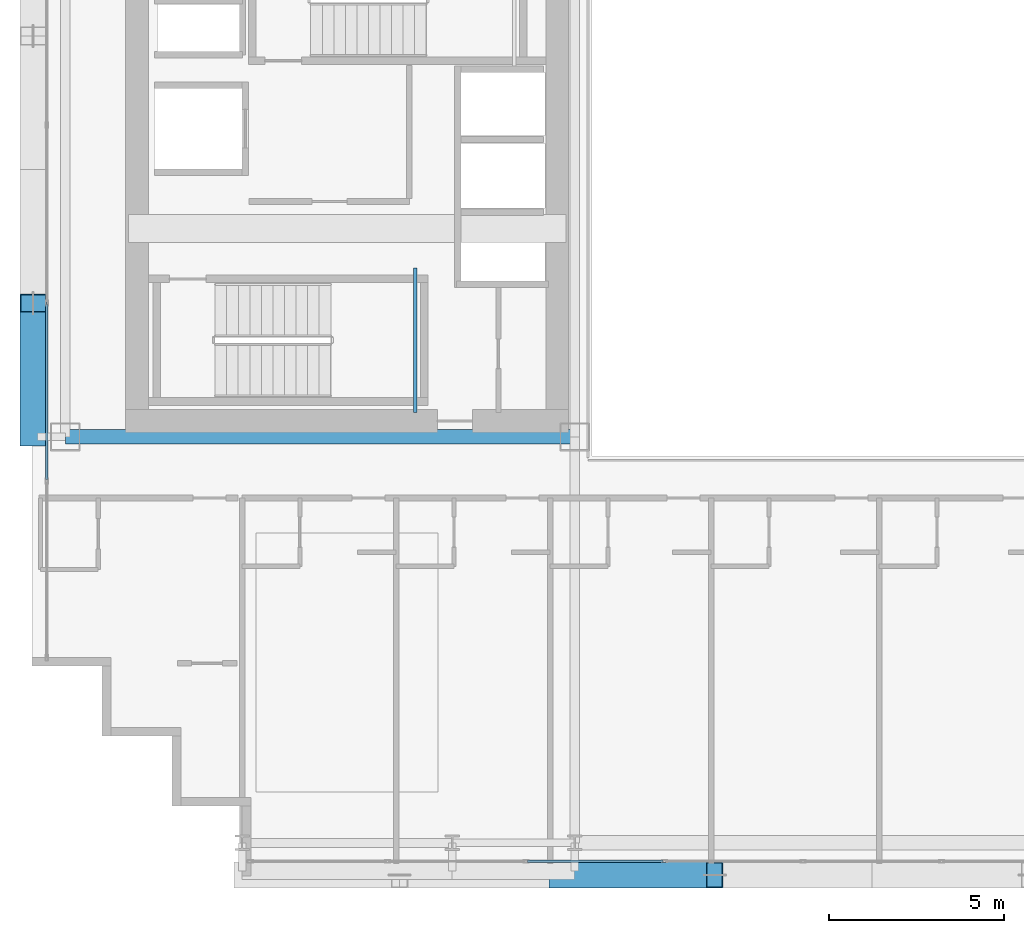
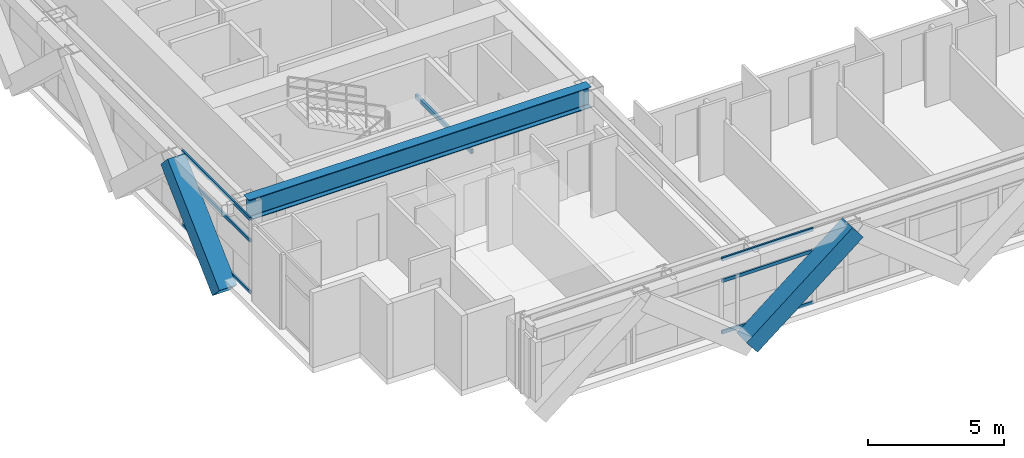
# One storey, part 4 of 36: 8 members, 2 beams, 2 elements without a shape of their own.
"""IFC4 building model written with IfcOpenShell, lengths in metres."""

from ifc_helpers import new_model, si_unit, direction, frame, origin, origin_2d, place, context, subcontext, project, spatial, hollow_rectangle, i_section, extrude, source, transform, mapped, material, layer, layer_set, material_profile, profile_set, type_object, element, aggregate, save


model = new_model("IFC4")

# Units and contexts
model_context = context("Model", 3, precision=1e-05, world=origin(), true_north=direction((0.0, 1.0)))
body_context = subcontext(model_context, "Body", "Model", "MODEL_VIEW")
ifc_project = project(units=[si_unit("LENGTHUNIT", "METRE"), si_unit("AREAUNIT", "SQUARE_METRE"), si_unit("VOLUMEUNIT", "CUBIC_METRE"), si_unit("PLANEANGLEUNIT", "RADIAN"), si_unit("MASSUNIT", "GRAM", prefix="KILO")], contexts=[model_context])

# Site, building, storey
site_placement = place(None, origin())
site = spatial("IfcSite", under=ifc_project, at=site_placement, CompositionType="ELEMENT")
building_placement = place(site_placement, origin())
building = spatial("IfcBuilding", under=site, at=building_placement, Name="Ocotamira Hotel", CompositionType="ELEMENT")
storey_placement = place(building_placement, frame((0.0, 0.0, 97.199951171875)))
storey = spatial("IfcBuildingStorey", under=building, at=storey_placement, Name="L23", CompositionType="ELEMENT", Elevation=97.199951171875)

# Beams
ifc_material_1 = material(Name="Steel ASTM A500 Grade C", Category="steel")
ifc_material_profile_1 = material_profile(ifc_material_1, hollow_rectangle(XDim=0.10009765625, YDim=0.199951171875, WallThickness=0.008056640625, at=origin_2d()), Name="HSS200X100X8")
ifc_profile_set_1 = profile_set([ifc_material_profile_1], Name="Steel ASTM A500 Grade C")
beam_type_1 = type_object("IfcBeamType", Name="BM-STLDG-HSS200", PredefinedType="BEAM", material=ifc_profile_set_1)
shared_shape_1 = source(origin(), body_context, "Body", "SweptSolid", [
    extrude(hollow_rectangle(XDim=0.10009765625, YDim=0.199951171875, WallThickness=0.008056640625, at=origin_2d()), origin(), (0.0, 0.0, 1.0), 4.1201171875),
])
beam_1_placement = place(storey_placement, frame((18.949951171875, 15.25, 1.5), z_axis=(0.0, 1.0, 0.0), x_axis=(-1.0, 0.0, 0.0)))
element("IfcBeam", 1, at=beam_1_placement, inside=storey, type_object=beam_type_1, Name="L23 Stair ST-1 Landing Bearer 1", PredefinedType="BEAM", context=body_context, shape_type="MappedRepresentation", body=[
    mapped(shared_shape_1, transform((0.0, 0.0, 0.0), scale=1.0)),
])
ifc_material_2 = material(Name="Steel ASTM A992 Grade 50", Category="steel")
ifc_material_profile_2 = material_profile(ifc_material_2, i_section(OverallWidth=0.41796875, OverallDepth=0.927001953125, WebThickness=0.019287109375, FlangeThickness=0.031982421875, FilletRadius=0.02392578125, at=origin_2d()), Name="W36X231")
ifc_profile_set_2 = profile_set([ifc_material_profile_2], Name="Steel ASTM A992 Grade 50")
beam_type_2 = type_object("IfcBeamType", Name="BM-GIRD-W36X231", PredefinedType="BEAM", material=ifc_profile_set_2)
shared_shape_2 = source(origin(), body_context, "Body", "SweptSolid", [
    extrude(i_section(OverallWidth=0.41796875, OverallDepth=0.927001953125, WebThickness=0.019287109375, FlangeThickness=0.031982421875, FilletRadius=0.02392578125, at=origin_2d()), origin(), (0.0, 0.0, 1.0), 14.550048828125),
])
beam_2_placement = place(storey_placement, frame((8.949951171875, 14.550048828125, 2.896484375), z_axis=(1.0, 0.0, 0.0), x_axis=(0.0, 1.0, 0.0)))
element("IfcBeam", 2, at=beam_2_placement, inside=storey, type_object=beam_type_2, Name="L23 Girder Y14.55 X8.95-23.5", PredefinedType="BEAM", context=body_context, shape_type="MappedRepresentation", body=[
    mapped(shared_shape_2, transform((0.0, 0.0, 0.0), scale=1.0)),
])

# Members
ifc_material_3 = material(Name="Pale-metal coated steel ASTM A913 Grade 65", Category="steel")
ifc_material_profile_3 = material_profile(ifc_material_3, hollow_rectangle(XDim=0.75, YDim=0.75, WallThickness=0.028076171875, at=origin_2d()), Name="BOX750X750X28")
ifc_profile_set_3 = profile_set([ifc_material_profile_3], Name="Pale-metal coated steel ASTM A913 Grade 65")
member_type_1 = type_object("IfcMemberType", Name="MEM-EXO-BOX750", PredefinedType="BRACE", material=ifc_profile_set_3)
shared_shape_3 = source(origin(), body_context, "Body", "SweptSolid", [
    extrude(hollow_rectangle(XDim=0.75, YDim=0.75, WallThickness=0.028076171875, at=origin_2d()), origin(), (0.0, 0.0, 1.0), 5.762939453125),
])
member_1_placement = place(storey_placement, frame((23.0, 2.030029296875, -0.489990234375), z_axis=(0.780860543151, 0.0, 0.624705380279), x_axis=(0.0, 1.0, 0.0)))
element("IfcMember", 3, at=member_1_placement, inside=storey, type_object=member_type_1, Name="L23 Exoskeleton Diagrid S1.1", PredefinedType="BRACE", context=body_context, shape_type="MappedRepresentation", body=[
    mapped(shared_shape_3, transform((0.0, 0.0, 0.0), scale=1.0)),
])
shared_shape_4 = source(origin(), body_context, "Body", "SweptSolid", [
    extrude(hollow_rectangle(XDim=0.75, YDim=0.75, WallThickness=0.028076171875, at=origin_2d()), origin(), (0.0, 0.0, 1.0), 5.24658203125),
])
member_2_placement = place(storey_placement, frame((8.030029296875, 14.550048828125, -0.489990234375), z_axis=(0.0, 0.727442733726, 0.686168397078), x_axis=(-1.0, 0.0, 0.0)))
element("IfcMember", 4, at=member_2_placement, inside=storey, type_object=member_type_1, Name="L23 Exoskeleton Diagrid W0.1", PredefinedType="BRACE", context=body_context, shape_type="MappedRepresentation", body=[
    mapped(shared_shape_4, transform((0.0, 0.0, 0.0), scale=1.0)),
])

# Curtain wall, members
ifc_material_4 = material(Name="Anodised pale-metal aluminium and solar glass", Category="aluminium")
ifc_layer = layer(ifc_material_4, 0.179931640625)
ifc_layer_set = layer_set([ifc_layer], Name="Anodised pale-metal aluminium and solar glass")
curtain_wall_type = type_object("IfcCurtainWallType", Name="CW-SYS3-Z2", PredefinedType="NOTDEFINED", material=ifc_layer_set)
curtain_wall_1_placement = place(storey_placement, origin())
curtain_wall_1 = element("IfcCurtainWall", 5, at=curtain_wall_1_placement, inside=storey, type_object=curtain_wall_type, Name="L23 Curtain Wall CW-3 CW-L23-S1", PredefinedType="NOTDEFINED")
ifc_material_5 = material(Name="Anodised pale-metal aluminium 6063-T6", Category="aluminium")
ifc_material_profile_4 = material_profile(ifc_material_5, hollow_rectangle(XDim=0.074951171875, YDim=0.14990234375, WallThickness=0.006103515625, at=origin_2d()), Name="HSS150X75X6")
ifc_profile_set_4 = profile_set([ifc_material_profile_4], Name="Anodised pale-metal aluminium 6063-T6")
member_type_2 = type_object("IfcMemberType", Name="CWT-150X75", PredefinedType="USERDEFINED", material=ifc_profile_set_4)
shared_shape_5 = source(origin(), body_context, "Body", "SweptSolid", [
    extrude(hollow_rectangle(XDim=0.074951171875, YDim=0.14990234375, WallThickness=0.006103515625, at=origin_2d()), origin(), (0.0, 0.0, 1.0), 3.87548828125),
])
member_3_placement = place(storey_placement, frame((22.151123046875, 2.419921875, 0.03759765625), z_axis=(1.0, 0.0, 0.0), x_axis=(0.0, 1.0, 0.0)))
member_3 = element("IfcMember", 6, at=member_3_placement, type_object=member_type_2, Name="CW-3 transom 3.1", ObjectType="TRANSOM", PredefinedType="USERDEFINED", context=body_context, shape_type="MappedRepresentation", body=[
    mapped(shared_shape_5, transform((0.0, 0.0, 0.0), scale=1.0)),
])
member_4_placement = place(storey_placement, frame((22.151123046875, 2.419921875, 2.35009765625), z_axis=(1.0, 0.0, 0.0), x_axis=(0.0, 1.0, 0.0)))
member_4 = element("IfcMember", 7, at=member_4_placement, type_object=member_type_2, Name="CW-3 transom 3.2", ObjectType="TRANSOM", PredefinedType="USERDEFINED", context=body_context, shape_type="MappedRepresentation", body=[
    mapped(shared_shape_5, transform((0.0, 0.0, 0.0), scale=1.0)),
])
member_5_placement = place(storey_placement, frame((22.151123046875, 2.419921875, 3.322509765625), z_axis=(1.0, 0.0, 0.0), x_axis=(0.0, 1.0, 0.0)))
member_5 = element("IfcMember", 8, at=member_5_placement, type_object=member_type_2, Name="CW-3 transom 3.3", ObjectType="TRANSOM", PredefinedType="USERDEFINED", context=body_context, shape_type="MappedRepresentation", body=[
    mapped(shared_shape_5, transform((0.0, 0.0, 0.0), scale=1.0)),
])
aggregate(curtain_wall_1, [member_3, member_4, member_5])

curtain_wall_2_placement = place(storey_placement, origin())
curtain_wall_2 = element("IfcCurtainWall", 9, at=curtain_wall_2_placement, inside=storey, type_object=curtain_wall_type, Name="L23 Curtain Wall CW-3 CW-L23-W", PredefinedType="NOTDEFINED")
shared_shape_6 = source(origin(), body_context, "Body", "SweptSolid", [
    extrude(hollow_rectangle(XDim=0.074951171875, YDim=0.14990234375, WallThickness=0.006103515625, at=origin_2d()), origin(), (0.0, 0.0, 1.0), 5.005859375),
])
member_6_placement = place(storey_placement, frame((8.419921875, 13.32568359375, 0.03759765625), z_axis=(0.0, 1.0, 0.0), x_axis=(-1.0, 0.0, 0.0)))
member_6 = element("IfcMember", 10, at=member_6_placement, type_object=member_type_2, Name="CW-3 transom 2.1", ObjectType="TRANSOM", PredefinedType="USERDEFINED", context=body_context, shape_type="MappedRepresentation", body=[
    mapped(shared_shape_6, transform((0.0, 0.0, 0.0), scale=1.0)),
])
member_7_placement = place(storey_placement, frame((8.419921875, 13.32568359375, 2.35009765625), z_axis=(0.0, 1.0, 0.0), x_axis=(-1.0, 0.0, 0.0)))
member_7 = element("IfcMember", 11, at=member_7_placement, type_object=member_type_2, Name="CW-3 transom 2.2", ObjectType="TRANSOM", PredefinedType="USERDEFINED", context=body_context, shape_type="MappedRepresentation", body=[
    mapped(shared_shape_6, transform((0.0, 0.0, 0.0), scale=1.0)),
])
member_8_placement = place(storey_placement, frame((8.419921875, 13.32568359375, 3.322509765625), z_axis=(0.0, 1.0, 0.0), x_axis=(-1.0, 0.0, 0.0)))
member_8 = element("IfcMember", 12, at=member_8_placement, type_object=member_type_2, Name="CW-3 transom 2.3", ObjectType="TRANSOM", PredefinedType="USERDEFINED", context=body_context, shape_type="MappedRepresentation", body=[
    mapped(shared_shape_6, transform((0.0, 0.0, 0.0), scale=1.0)),
])
aggregate(curtain_wall_2, [member_6, member_7, member_8])

save(model, "model.ifc")
